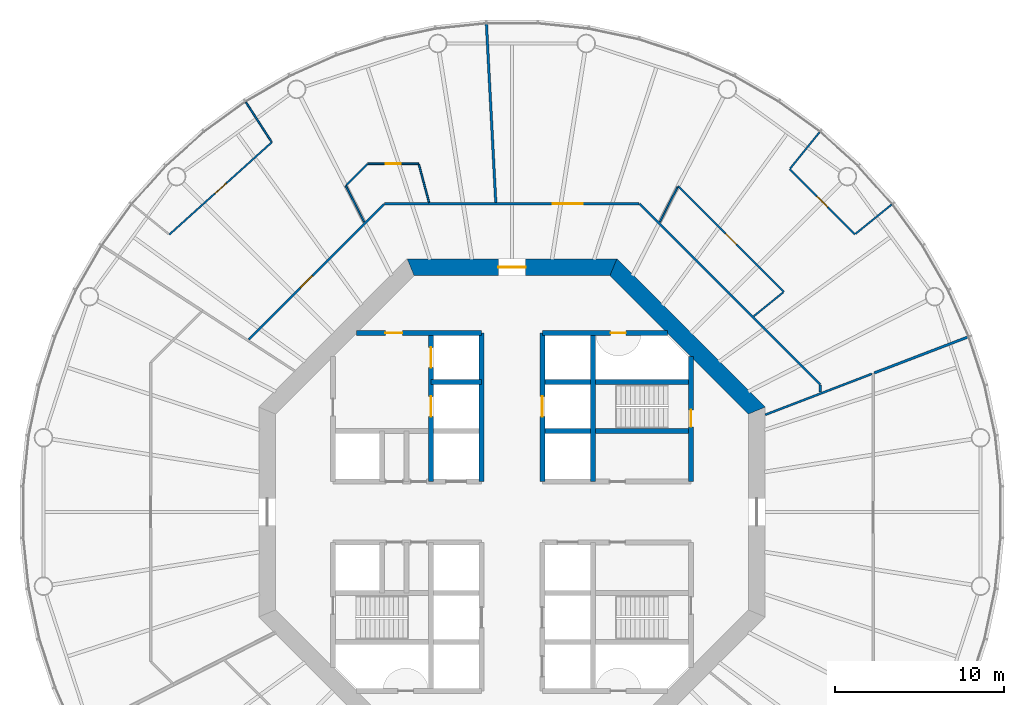
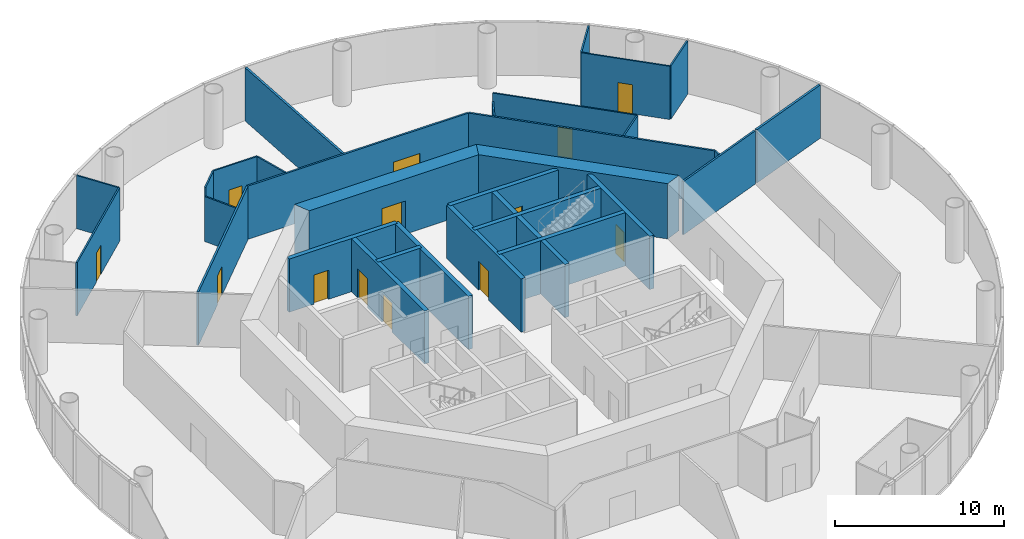
# One storey, part 5 of 13: 31 walls, 13 doors, 13 openings.
"""IFC4 building model written with IfcOpenShell, lengths in metres."""

from ifc_helpers import new_model, si_unit, direction, frame, frame_2d, origin, place, context, subcontext, project, spatial, polyline, rectangle, outline, extrude, material, layer, layer_set, type_object, element, fill, save


model = new_model("IFC4")

# Units and contexts
model_context = context("Model", 3, precision=1e-05, world=origin(), true_north=direction((0.0, 1.0)))
body_context = subcontext(model_context, "Body", "Model", "MODEL_VIEW")
ifc_project = project(units=[si_unit("LENGTHUNIT", "METRE"), si_unit("AREAUNIT", "SQUARE_METRE"), si_unit("VOLUMEUNIT", "CUBIC_METRE"), si_unit("PLANEANGLEUNIT", "RADIAN"), si_unit("MASSUNIT", "GRAM", prefix="KILO")], contexts=[model_context])

# Site, building, storey
site_placement = place(None, origin())
site = spatial("IfcSite", under=ifc_project, at=site_placement, CompositionType="ELEMENT")
building_placement = place(site_placement, origin())
building = spatial("IfcBuilding", under=site, at=building_placement, Name="Entoto Ring Tower", CompositionType="ELEMENT")
storey_placement = place(building_placement, frame((0.0, 0.0, 188.0)))
storey = spatial("IfcBuildingStorey", under=building, at=storey_placement, Name="L43", CompositionType="ELEMENT", Elevation=188.0)

# Wall, opening, door
ifc_material_1 = material(Name="Concrete C40/50", Category="concrete")
ifc_layer_1 = layer(ifc_material_1, 0.300048828125)
ifc_layer_set_1 = layer_set([ifc_layer_1], Name="Concrete C40/50")
wall_type_1 = type_object("IfcWallType", Name="Core enclosure wall 300 mm reinforced concrete", PredefinedType="SOLIDWALL", material=ifc_layer_set_1)
wall_1_placement = place(storey_placement, frame((100.60009765625, 81.800048828125, 0.0), z_axis=(0.0, 0.0, 1.0), x_axis=(0.0, 1.0, 0.0)))
wall_1 = element("IfcWall", 1, at=wall_1_placement, inside=storey, type_object=wall_type_1, Name="wall-L43-002", PredefinedType="SOLIDWALL", context=body_context, shape_type="SweptSolid", body=[
    extrude(rectangle(XDim=7.39892578125, YDim=0.300048828125, at=frame_2d((3.699462890625, 0.0))), origin(), (0.0, 0.0, 1.0), 3.85009765625),
])
opening_1_placement = place(wall_1_placement, frame((3.25, 0.0, 0.0)))
opening_1 = element("IfcOpeningElement", 2, at=opening_1_placement, cuts=wall_1, Name="Opening K-17", PredefinedType="OPENING", context=body_context, shape_type="SweptSolid", body=[
    extrude(rectangle(XDim=1.0, YDim=2.10009765625, at=frame_2d((0.5, 1.050048828125))), frame((0.0, 0.16015625, 0.0), z_axis=(0.0, -1.0, 0.0), x_axis=(1.0, 0.0, 0.0)), (0.0, 0.0, 1.0), 0.320068359375),
])
ifc_material_2 = material(Name="Steel door leaf, fire rated", Category="steel")
ifc_layer_2 = layer(ifc_material_2, 0.050048828125)
ifc_layer_set_2 = layer_set([ifc_layer_2], Name="Steel door leaf, fire rated")
door_type_1 = type_object("IfcDoorType", Name="Fire door FD60 1000 x 2100 single leaf", OperationType="NOTDEFINED", PredefinedType="DOOR", material=ifc_layer_set_2)
door_1_placement = place(opening_1_placement, origin())
door_1 = element("IfcDoor", 3, at=door_1_placement, inside=storey, type_object=door_type_1, Name="Door K-17", OperationType="SINGLE_SWING_LEFT", OverallHeight=2.10009765625, OverallWidth=1.0, PredefinedType="DOOR", context=body_context, shape_type="SweptSolid", body=[
    extrude(rectangle(XDim=1.0, YDim=2.10009765625, at=frame_2d((0.5, 1.050048828125))), frame((0.0, 0.02490234375, 0.0), z_axis=(0.0, -1.0, 0.0), x_axis=(1.0, 0.0, 0.0)), (0.0, 0.0, 1.0), 0.050048828125),
])
fill(opening_1, door_1)

# Wall
wall_2_placement = place(storey_placement, frame((94.800048828125, 81.800048828125, 0.0), z_axis=(0.0, 0.0, 1.0), x_axis=(0.0, 1.0, 0.0)))
element("IfcWall", 4, at=wall_2_placement, inside=storey, type_object=wall_type_1, Name="wall-L43-004", PredefinedType="SOLIDWALL", context=body_context, shape_type="SweptSolid", body=[
    extrude(rectangle(XDim=8.800048828125, YDim=0.300048828125, at=frame_2d((4.39990234375, 0.0))), origin(), (0.0, 0.0, 1.0), 3.85009765625),
])

# Wall, opening, door
wall_3_placement = place(storey_placement, frame((91.800048828125, 81.800048828125, 0.0), z_axis=(0.0, 0.0, 1.0), x_axis=(0.0, 1.0, 0.0)))
wall_3 = element("IfcWall", 5, at=wall_3_placement, inside=storey, type_object=wall_type_1, Name="wall-L43-006", PredefinedType="SOLIDWALL", context=body_context, shape_type="SweptSolid", body=[
    extrude(rectangle(XDim=8.800048828125, YDim=0.300048828125, at=frame_2d((4.39990234375, 0.0))), origin(), (0.0, 0.0, 1.0), 3.85009765625),
])
opening_2_placement = place(wall_3_placement, frame((3.85009765625, 0.0, 0.0)))
opening_2 = element("IfcOpeningElement", 6, at=opening_2_placement, cuts=wall_3, Name="Opening LD", PredefinedType="OPENING", context=body_context, shape_type="SweptSolid", body=[
    extrude(rectangle(XDim=1.199951171875, YDim=2.10009765625, at=frame_2d((0.60009765625, 1.050048828125))), frame((0.0, 0.16015625, 0.0), z_axis=(0.0, -1.0, 0.0), x_axis=(1.0, 0.0, 0.0)), (0.0, 0.0, 1.0), 0.320068359375),
])
ifc_material_3 = material(Name="Steel and glass door leaf", Category="steel")
ifc_layer_3 = layer(ifc_material_3, 0.050048828125)
ifc_layer_set_3 = layer_set([ifc_layer_3], Name="Steel and glass door leaf")
door_type_2 = type_object("IfcDoorType", Name="Landing door 1200 x 2100 sliding", OperationType="DOUBLE_DOOR_SLIDING", PredefinedType="DOOR", material=ifc_layer_set_3)
door_2_placement = place(opening_2_placement, origin())
door_2 = element("IfcDoor", 7, at=door_2_placement, inside=storey, type_object=door_type_2, Name="Landing door LB1-MR", OperationType="SLIDING_TO_RIGHT", OverallHeight=2.10009765625, OverallWidth=1.199951171875, PredefinedType="DOOR", context=body_context, shape_type="SweptSolid", body=[
    extrude(rectangle(XDim=1.199951171875, YDim=2.10009765625, at=frame_2d((0.60009765625, 1.050048828125))), frame((0.0, 0.02490234375, 0.0), z_axis=(0.0, -1.0, 0.0), x_axis=(1.0, 0.0, 0.0)), (0.0, 0.0, 1.0), 0.050048828125),
])
fill(opening_2, door_2)

# Wall
wall_4_placement = place(storey_placement, frame((88.199951171875, 81.800048828125, 0.0), z_axis=(0.0, 0.0, 1.0), x_axis=(0.0, 1.0, 0.0)))
element("IfcWall", 8, at=wall_4_placement, inside=storey, type_object=wall_type_1, Name="wall-L43-008", PredefinedType="SOLIDWALL", context=body_context, shape_type="SweptSolid", body=[
    extrude(rectangle(XDim=8.800048828125, YDim=0.300048828125, at=frame_2d((4.39990234375, 0.0))), origin(), (0.0, 0.0, 1.0), 3.85009765625),
])

# Wall, openings, doors
wall_5_placement = place(storey_placement, frame((85.199951171875, 81.800048828125, 0.0), z_axis=(0.0, 0.0, 1.0), x_axis=(0.0, 1.0, 0.0)))
wall_5 = element("IfcWall", 9, at=wall_5_placement, inside=storey, type_object=wall_type_1, Name="wall-L43-010", PredefinedType="SOLIDWALL", context=body_context, shape_type="SweptSolid", body=[
    extrude(rectangle(XDim=8.800048828125, YDim=0.300048828125, at=frame_2d((4.39990234375, 0.0))), origin(), (0.0, 0.0, 1.0), 3.85009765625),
])
opening_3_placement = place(wall_5_placement, frame((3.85009765625, 0.0, 0.0)))
opening_3 = element("IfcOpeningElement", 10, at=opening_3_placement, cuts=wall_5, Name="Opening LD", PredefinedType="OPENING", context=body_context, shape_type="SweptSolid", body=[
    extrude(rectangle(XDim=1.199951171875, YDim=2.10009765625, at=frame_2d((0.60009765625, 1.050048828125))), frame((0.0, 0.16015625, 0.0), z_axis=(0.0, -1.0, 0.0), x_axis=(1.0, 0.0, 0.0)), (0.0, 0.0, 1.0), 0.320068359375),
])
opening_4_placement = place(wall_5_placement, frame((6.75, 0.0, 0.0)))
opening_4 = element("IfcOpeningElement", 11, at=opening_4_placement, cuts=wall_5, Name="Opening LD", PredefinedType="OPENING", context=body_context, shape_type="SweptSolid", body=[
    extrude(rectangle(XDim=1.199951171875, YDim=2.10009765625, at=frame_2d((0.60009765625, 1.050048828125))), frame((0.0, 0.16015625, 0.0), z_axis=(0.0, -1.0, 0.0), x_axis=(1.0, 0.0, 0.0)), (0.0, 0.0, 1.0), 0.320068359375),
])
door_3_placement = place(opening_3_placement, origin())
door_3 = element("IfcDoor", 12, at=door_3_placement, inside=storey, type_object=door_type_2, Name="Landing door FF1", OperationType="SLIDING_TO_RIGHT", OverallHeight=2.10009765625, OverallWidth=1.199951171875, PredefinedType="DOOR", context=body_context, shape_type="SweptSolid", body=[
    extrude(rectangle(XDim=1.199951171875, YDim=2.10009765625, at=frame_2d((0.60009765625, 1.050048828125))), frame((0.0, 0.02490234375, 0.0), z_axis=(0.0, -1.0, 0.0), x_axis=(1.0, 0.0, 0.0)), (0.0, 0.0, 1.0), 0.050048828125),
])
fill(opening_3, door_3)
door_4_placement = place(opening_4_placement, origin())
door_4 = element("IfcDoor", 13, at=door_4_placement, inside=storey, type_object=door_type_2, Name="Landing door FF2", OperationType="SLIDING_TO_RIGHT", OverallHeight=2.10009765625, OverallWidth=1.199951171875, PredefinedType="DOOR", context=body_context, shape_type="SweptSolid", body=[
    extrude(rectangle(XDim=1.199951171875, YDim=2.10009765625, at=frame_2d((0.60009765625, 1.050048828125))), frame((0.0, 0.02490234375, 0.0), z_axis=(0.0, -1.0, 0.0), x_axis=(1.0, 0.0, 0.0)), (0.0, 0.0, 1.0), 0.050048828125),
])
fill(opening_4, door_4)

# Walls
wall_6_placement = place(storey_placement, frame((91.800048828125, 84.800048828125, 0.0), z_axis=(0.0, 0.0, 1.0), x_axis=(1.0, 0.0, 0.0)))
element("IfcWall", 14, at=wall_6_placement, inside=storey, type_object=wall_type_1, Name="wall-L43-028", PredefinedType="SOLIDWALL", context=body_context, shape_type="SweptSolid", body=[
    extrude(rectangle(XDim=8.800048828125, YDim=0.300048828125, at=frame_2d((4.39990234375, 0.0))), origin(), (0.0, 0.0, 1.0), 3.85009765625),
])
wall_7_placement = place(storey_placement, frame((85.199951171875, 87.699951171875, 0.0), z_axis=(0.0, 0.0, 1.0), x_axis=(1.0, 0.0, 0.0)))
element("IfcWall", 15, at=wall_7_placement, inside=storey, type_object=wall_type_1, Name="wall-L43-029", PredefinedType="SOLIDWALL", context=body_context, shape_type="SweptSolid", body=[
    extrude(rectangle(XDim=3.0, YDim=0.300048828125, at=frame_2d((1.5, 0.0))), origin(), (0.0, 0.0, 1.0), 3.85009765625),
])
wall_8_placement = place(storey_placement, frame((91.800048828125, 87.699951171875, 0.0), z_axis=(0.0, 0.0, 1.0), x_axis=(1.0, 0.0, 0.0)))
element("IfcWall", 16, at=wall_8_placement, inside=storey, type_object=wall_type_1, Name="wall-L43-030", PredefinedType="SOLIDWALL", context=body_context, shape_type="SweptSolid", body=[
    extrude(rectangle(XDim=8.800048828125, YDim=0.300048828125, at=frame_2d((4.39990234375, 0.0))), origin(), (0.0, 0.0, 1.0), 3.85009765625),
])

# Wall, opening, door
wall_9_placement = place(storey_placement, frame((80.801025390625, 90.60009765625, 0.0), z_axis=(0.0, 0.0, 1.0), x_axis=(1.0, 0.0, 0.0)))
wall_9 = element("IfcWall", 17, at=wall_9_placement, inside=storey, type_object=wall_type_1, Name="wall-L43-031", PredefinedType="SOLIDWALL", context=body_context, shape_type="SweptSolid", body=[
    extrude(rectangle(XDim=7.39892578125, YDim=0.300048828125, at=frame_2d((3.699462890625, 0.0))), origin(), (0.0, 0.0, 1.0), 3.85009765625),
])
opening_5_placement = place(wall_9_placement, frame((1.698974609375, 0.0, 0.0)))
opening_5 = element("IfcOpeningElement", 18, at=opening_5_placement, cuts=wall_9, Name="Opening K-73", PredefinedType="OPENING", context=body_context, shape_type="SweptSolid", body=[
    extrude(rectangle(XDim=1.0, YDim=2.10009765625, at=frame_2d((0.5, 1.050048828125))), frame((0.0, 0.16015625, 0.0), z_axis=(0.0, -1.0, 0.0), x_axis=(1.0, 0.0, 0.0)), (0.0, 0.0, 1.0), 0.320068359375),
])
door_5_placement = place(opening_5_placement, frame((1.0, 0.0, 0.0), z_axis=(0.0, 0.0, 1.0), x_axis=(-1.0, 0.0, 0.0)))
door_5 = element("IfcDoor", 19, at=door_5_placement, inside=storey, type_object=door_type_1, Name="Door K-73", OperationType="SINGLE_SWING_LEFT", OverallHeight=2.10009765625, OverallWidth=1.0, PredefinedType="DOOR", context=body_context, shape_type="SweptSolid", body=[
    extrude(rectangle(XDim=1.0, YDim=2.10009765625, at=frame_2d((0.5, 1.050048828125))), frame((0.0, 0.02490234375, 0.0), z_axis=(0.0, -1.0, 0.0), x_axis=(1.0, 0.0, 0.0)), (0.0, 0.0, 1.0), 0.050048828125),
])
fill(opening_5, door_5)

wall_10_placement = place(storey_placement, frame((91.800048828125, 90.60009765625, 0.0), z_axis=(0.0, 0.0, 1.0), x_axis=(1.0, 0.0, 0.0)))
wall_10 = element("IfcWall", 20, at=wall_10_placement, inside=storey, type_object=wall_type_1, Name="wall-L43-032", PredefinedType="SOLIDWALL", context=body_context, shape_type="SweptSolid", body=[
    extrude(rectangle(XDim=7.39892578125, YDim=0.300048828125, at=frame_2d((3.699462890625, 0.0))), origin(), (0.0, 0.0, 1.0), 3.85009765625),
])
opening_6_placement = place(wall_10_placement, frame((4.050048828125, 0.0, 0.0)))
opening_6 = element("IfcOpeningElement", 21, at=opening_6_placement, cuts=wall_10, Name="Opening K-20", PredefinedType="OPENING", context=body_context, shape_type="SweptSolid", body=[
    extrude(rectangle(XDim=0.89990234375, YDim=2.10009765625, at=frame_2d((0.449951171875, 1.050048828125))), frame((0.0, 0.16015625, 0.0), z_axis=(0.0, -1.0, 0.0), x_axis=(1.0, 0.0, 0.0)), (0.0, 0.0, 1.0), 0.320068359375),
])
ifc_material_4 = material(Name="Steel door leaf, fire rated", Category="steel")
ifc_layer_4 = layer(ifc_material_4, 0.050048828125)
ifc_layer_set_4 = layer_set([ifc_layer_4], Name="Steel door leaf, fire rated")
door_type_3 = type_object("IfcDoorType", Name="Riser door FD60 900 x 2100 single leaf", OperationType="NOTDEFINED", PredefinedType="DOOR", material=ifc_layer_set_4)
door_6_placement = place(opening_6_placement, frame((0.89990234375, 0.0, 0.0), z_axis=(0.0, 0.0, 1.0), x_axis=(-1.0, 0.0, 0.0)))
door_6 = element("IfcDoor", 22, at=door_6_placement, inside=storey, type_object=door_type_3, Name="Door K-20", OperationType="SINGLE_SWING_RIGHT", OverallHeight=2.10009765625, OverallWidth=0.89990234375, PredefinedType="DOOR", context=body_context, shape_type="SweptSolid", body=[
    extrude(rectangle(XDim=0.89990234375, YDim=2.10009765625, at=frame_2d((0.449951171875, 1.050048828125))), frame((0.0, 0.02490234375, 0.0), z_axis=(0.0, -1.0, 0.0), x_axis=(1.0, 0.0, 0.0)), (0.0, 0.0, 1.0), 0.050048828125),
])
fill(opening_6, door_6)

# Wall
ifc_material_5 = material(Name="Concrete C50/60", Category="concrete")
ifc_layer_5 = layer(ifc_material_5, 1.0)
ifc_layer_set_5 = layer_set([ifc_layer_5], Name="Concrete C50/60")
wall_type_2 = type_object("IfcWallType", Name="Core shear wall 1000 mm reinforced concrete C50/60", PredefinedType="SHEAR", material=ifc_layer_set_5)
wall_11_placement = place(storey_placement, frame((104.5, 86.006103515625, 0.0), z_axis=(0.0, 0.0, 1.0), x_axis=(-0.707106781187, 0.707106781187, 0.0)))
element("IfcWall", 23, at=wall_11_placement, inside=storey, type_object=wall_type_2, Name="wall-L43-core-1", PredefinedType="SHEAR", context=body_context, shape_type="SweptSolid", body=[
    extrude(outline(polyline([(-0.20703125, -0.5), (12.21923828125, -0.5), (11.80517578125, 0.5), (0.20703125, 0.5), (-0.20703125, -0.5)])), origin(), (0.0, 0.0, 1.0), 4.0),
])

# Wall, opening, door
wall_12_placement = place(storey_placement, frame((96.006103515625, 94.5, 0.0), z_axis=(0.0, 0.0, 1.0), x_axis=(-1.0, 0.0, 0.0)))
wall_12 = element("IfcWall", 24, at=wall_12_placement, inside=storey, type_object=wall_type_2, Name="wall-L43-core-2", PredefinedType="SHEAR", context=body_context, shape_type="SweptSolid", body=[
    extrude(outline(polyline([(-0.20703125, -0.5), (12.21923828125, -0.5), (11.80517578125, 0.5), (0.20703125, 0.5), (-0.20703125, -0.5)])), origin(), (0.0, 0.0, 1.0), 4.0),
])
opening_7_placement = place(wall_12_placement, frame((5.2060546875, 0.0, 0.0)))
opening_7 = element("IfcOpeningElement", 25, at=opening_7_placement, cuts=wall_12, Name="Opening K-02", PredefinedType="OPENING", context=body_context, shape_type="SweptSolid", body=[
    extrude(rectangle(XDim=1.60009765625, YDim=2.39990234375, at=frame_2d((0.800048828125, 1.199951171875))), frame((0.0, 0.510009765625, 0.0), z_axis=(0.0, -1.0, 0.0), x_axis=(1.0, 0.0, 0.0)), (0.0, 0.0, 1.0), 1.02001953125),
])
ifc_material_6 = material(Name="Steel door leaf, fire rated", Category="steel")
ifc_layer_6 = layer(ifc_material_6, 0.050048828125)
ifc_layer_set_6 = layer_set([ifc_layer_6], Name="Steel door leaf, fire rated")
door_type_4 = type_object("IfcDoorType", Name="Entrance door FD60 1600 x 2400 double leaf", OperationType="DOUBLE_DOOR_SINGLE_SWING", PredefinedType="DOOR", material=ifc_layer_set_6)
door_7_placement = place(opening_7_placement, origin())
door_7 = element("IfcDoor", 26, at=door_7_placement, inside=storey, type_object=door_type_4, Name="Entrance door K-02", OperationType="DOUBLE_DOOR_SINGLE_SWING", OverallHeight=2.39990234375, OverallWidth=1.60009765625, PredefinedType="DOOR", context=body_context, shape_type="SweptSolid", body=[
    extrude(rectangle(XDim=1.60009765625, YDim=2.39990234375, at=frame_2d((0.800048828125, 1.199951171875))), frame((0.0, 0.02490234375, 0.0), z_axis=(0.0, -1.0, 0.0), x_axis=(1.0, 0.0, 0.0)), (0.0, 0.0, 1.0), 0.050048828125),
])
fill(opening_7, door_7)

# Wall
ifc_material_7 = material(Name="Fire-resisting plasterboard on steel studs", Category="steel")
ifc_layer_7 = layer(ifc_material_7, 0.125)
ifc_layer_set_7 = layer_set([ifc_layer_7], Name="Fire-resisting plasterboard on steel studs")
wall_type_3 = type_object("IfcWallType", Name="Corridor wall 125 mm one-hour plasterboard on steel studs", PredefinedType="PARTITIONING", material=ifc_layer_set_7)
wall_13_placement = place(storey_placement, frame((108.262451171875, 87.564697265625, 0.0), z_axis=(0.0, 0.0, 1.0), x_axis=(-0.707106781187, 0.707106781187, 0.0)))
element("IfcWall", 27, at=wall_13_placement, inside=storey, type_object=wall_type_3, Name="partition-L43-003", PredefinedType="PARTITIONING", context=body_context, shape_type="SweptSolid", body=[
    extrude(rectangle(XDim=15.12890625, YDim=0.125, at=frame_2d((7.564453125, 0.0))), origin(), (0.0, 0.0, 1.0), 3.85009765625),
])

# Wall, opening, door
wall_14_placement = place(storey_placement, frame((82.435302734375, 98.262451171875, 0.0), z_axis=(0.0, 0.0, 1.0), x_axis=(1.0, 0.0, 0.0)))
wall_14 = element("IfcWall", 28, at=wall_14_placement, inside=storey, type_object=wall_type_3, Name="partition-L43-005", PredefinedType="PARTITIONING", context=body_context, shape_type="SweptSolid", body=[
    extrude(rectangle(XDim=15.085205078125, YDim=0.125, at=frame_2d((7.54248046875, 0.0))), origin(), (0.0, 0.0, 1.0), 3.85009765625),
])
opening_8_placement = place(wall_14_placement, frame((9.96826171875, 0.0, 0.0)))
opening_8 = element("IfcOpeningElement", 29, at=opening_8_placement, cuts=wall_14, Name="Opening A18-D03", PredefinedType="OPENING", context=body_context, shape_type="SweptSolid", body=[
    extrude(rectangle(XDim=1.800048828125, YDim=2.10009765625, at=frame_2d((0.89990234375, 1.050048828125))), frame((0.0, 0.072509765625, 0.0), z_axis=(0.0, -1.0, 0.0), x_axis=(1.0, 0.0, 0.0)), (0.0, 0.0, 1.0), 0.14501953125),
])
ifc_material_8 = material(Name="Fire-resisting timber door set", Category="wood")
door_type_5 = type_object("IfcDoorType", Name="Door 1800 x 2100 double leaf FD30S fire door", OperationType="DOUBLE_DOOR_SINGLE_SWING", PredefinedType="DOOR", material=ifc_material_8)
door_8_placement = place(opening_8_placement, origin())
door_8 = element("IfcDoor", 30, at=door_8_placement, inside=storey, type_object=door_type_5, Name="Door A18-D03", OperationType="DOUBLE_DOOR_SINGLE_SWING", OverallHeight=2.10009765625, OverallWidth=1.800048828125, PredefinedType="DOOR", context=body_context, shape_type="SweptSolid", body=[
    extrude(rectangle(XDim=1.800048828125, YDim=2.10009765625, at=frame_2d((0.89990234375, 1.050048828125))), frame((0.0, 0.02490234375, 0.0), z_axis=(0.0, -1.0, 0.0), x_axis=(1.0, 0.0, 0.0)), (0.0, 0.0, 1.0), 0.050048828125),
])
fill(opening_8, door_8)

wall_15_placement = place(storey_placement, frame((74.39599609375, 90.22314453125, 0.0), z_axis=(0.0, 0.0, 1.0), x_axis=(0.707106781187, 0.707106781187, 0.0)))
wall_15 = element("IfcWall", 31, at=wall_15_placement, inside=storey, type_object=wall_type_3, Name="partition-L43-007", PredefinedType="PARTITIONING", context=body_context, shape_type="SweptSolid", body=[
    extrude(rectangle(XDim=11.325439453125, YDim=0.125, at=frame_2d((5.66259765625, 0.0))), origin(), (0.0, 0.0, 1.0), 3.85009765625),
])
opening_9_placement = place(wall_15_placement, frame((4.330810546875, 0.0, 0.0)))
opening_9 = element("IfcOpeningElement", 32, at=opening_9_placement, cuts=wall_15, Name="Opening A18-D06", PredefinedType="OPENING", context=body_context, shape_type="SweptSolid", body=[
    extrude(rectangle(XDim=1.0, YDim=2.10009765625, at=frame_2d((0.5, 1.050048828125))), frame((0.0, 0.072509765625, 0.0), z_axis=(0.0, -1.0, 0.0), x_axis=(1.0, 0.0, 0.0)), (0.0, 0.0, 1.0), 0.14501953125),
])
ifc_material_9 = material(Name="Fire-resisting timber door set", Category="wood")
door_type_6 = type_object("IfcDoorType", Name="Door 1000 x 2100 single leaf FD30S fire door", OperationType="NOTDEFINED", PredefinedType="DOOR", material=ifc_material_9)
door_9_placement = place(opening_9_placement, origin())
door_9 = element("IfcDoor", 33, at=door_9_placement, inside=storey, type_object=door_type_6, Name="Door A18-D06", OperationType="SINGLE_SWING_LEFT", OverallHeight=2.10009765625, OverallWidth=1.0, PredefinedType="DOOR", context=body_context, shape_type="SweptSolid", body=[
    extrude(rectangle(XDim=1.0, YDim=2.10009765625, at=frame_2d((0.5, 1.050048828125))), frame((0.0, 0.02490234375, 0.0), z_axis=(0.0, -1.0, 0.0), x_axis=(1.0, 0.0, 0.0)), (0.0, 0.0, 1.0), 0.050048828125),
])
fill(opening_9, door_9)

# Walls
wall_16_placement = place(storey_placement, frame((105.0, 85.758056640625, 0.0), z_axis=(0.0, 0.0, 1.0), x_axis=(0.933585389183, 0.358355021038, 0.0)))
element("IfcWall", 34, at=wall_16_placement, inside=storey, type_object=wall_type_3, Name="partition-L43-009", PredefinedType="PARTITIONING", context=body_context, shape_type="SweptSolid", body=[
    extrude(rectangle(XDim=6.764404296875, YDim=0.125, at=frame_2d((3.38232421875, 0.0))), origin(), (0.0, 0.0, 1.0), 3.85009765625),
])
wall_17_placement = place(storey_placement, frame((108.262451171875, 87.10107421875, 0.0), z_axis=(0.0, 0.0, 1.0), x_axis=(0.0, 1.0, 0.0)))
element("IfcWall", 35, at=wall_17_placement, inside=storey, type_object=wall_type_3, Name="partition-L43-016", PredefinedType="PARTITIONING", context=body_context, shape_type="SweptSolid", body=[
    extrude(rectangle(XDim=0.41943359375, YDim=0.125, at=frame_2d((0.209716796875, 0.0))), origin(), (0.0, 0.0, 1.0), 3.85009765625),
])

# Wall, opening, door
ifc_material_10 = material(Name="Plasterboard on steel studs", Category="steel")
ifc_layer_8 = layer(ifc_material_10, 0.10009765625)
ifc_layer_set_8 = layer_set([ifc_layer_8], Name="Plasterboard on steel studs")
wall_type_4 = type_object("IfcWallType", Name="Partition 100 mm plasterboard on steel studs", PredefinedType="PARTITIONING", material=ifc_layer_set_8)
wall_18_placement = place(storey_placement, frame((106.107177734375, 93.043212890625, 0.0), z_axis=(0.0, 0.0, 1.0), x_axis=(-0.707093009375, 0.70712055273, 0.0)))
wall_18 = element("IfcWall", 36, at=wall_18_placement, inside=storey, type_object=wall_type_4, Name="partition-L43-023", PredefinedType="PARTITIONING", context=body_context, shape_type="SweptSolid", body=[
    extrude(rectangle(XDim=8.86376953125, YDim=0.10009765625, at=frame_2d((4.431884765625, 0.0))), origin(), (0.0, 0.0, 1.0), 3.85009765625),
])
opening_10_placement = place(wall_18_placement, frame((3.98193359375, 0.0, 0.0)))
opening_10 = element("IfcOpeningElement", 37, at=opening_10_placement, cuts=wall_18, Name="Opening A18-D04", PredefinedType="OPENING", context=body_context, shape_type="SweptSolid", body=[
    extrude(rectangle(XDim=0.89990234375, YDim=2.10009765625, at=frame_2d((0.449951171875, 1.050048828125))), frame((0.0, 0.06005859375, 0.0), z_axis=(0.0, -1.0, 0.0), x_axis=(1.0, 0.0, 0.0)), (0.0, 0.0, 1.0), 0.1201171875),
])
ifc_material_11 = material(Name="Veneered timber door leaf in timber frame", Category="wood")
door_type_7 = type_object("IfcDoorType", Name="Door 900 x 2100 single leaf timber veneer", OperationType="NOTDEFINED", PredefinedType="DOOR", material=ifc_material_11)
door_10_placement = place(opening_10_placement, origin())
door_10 = element("IfcDoor", 38, at=door_10_placement, inside=storey, type_object=door_type_7, Name="Door A18-D04", OperationType="SINGLE_SWING_RIGHT", OverallHeight=2.10009765625, OverallWidth=0.89990234375, PredefinedType="DOOR", context=body_context, shape_type="SweptSolid", body=[
    extrude(rectangle(XDim=0.89990234375, YDim=2.10009765625, at=frame_2d((0.449951171875, 1.050048828125))), frame((0.0, 0.02490234375, 0.0), z_axis=(0.0, -1.0, 0.0), x_axis=(1.0, 0.0, 0.0)), (0.0, 0.0, 1.0), 0.050048828125),
])
fill(opening_10, door_10)

wall_19_placement = place(storey_placement, frame((69.700927734375, 96.437744140625, 0.0), z_axis=(0.0, 0.0, 1.0), x_axis=(0.743138149353, 0.669138020872, 0.0)))
wall_19 = element("IfcWall", 39, at=wall_19_placement, inside=storey, type_object=wall_type_4, Name="partition-L43-024", PredefinedType="PARTITIONING", context=body_context, shape_type="SweptSolid", body=[
    extrude(rectangle(XDim=8.172119140625, YDim=0.10009765625, at=frame_2d((4.0859375, 0.0))), origin(), (0.0, 0.0, 1.0), 3.85009765625),
])
opening_11_placement = place(wall_19_placement, frame((3.635986328125, 0.0, 0.0)))
opening_11 = element("IfcOpeningElement", 40, at=opening_11_placement, cuts=wall_19, Name="Opening A18-D08", PredefinedType="OPENING", context=body_context, shape_type="SweptSolid", body=[
    extrude(rectangle(XDim=0.89990234375, YDim=2.10009765625, at=frame_2d((0.449951171875, 1.050048828125))), frame((0.0, 0.06005859375, 0.0), z_axis=(0.0, -1.0, 0.0), x_axis=(1.0, 0.0, 0.0)), (0.0, 0.0, 1.0), 0.1201171875),
])
door_11_placement = place(opening_11_placement, origin())
door_11 = element("IfcDoor", 41, at=door_11_placement, inside=storey, type_object=door_type_7, Name="Door A18-D08", OperationType="SINGLE_SWING_LEFT", OverallHeight=2.10009765625, OverallWidth=0.89990234375, PredefinedType="DOOR", context=body_context, shape_type="SweptSolid", body=[
    extrude(rectangle(XDim=0.89990234375, YDim=2.10009765625, at=frame_2d((0.449951171875, 1.050048828125))), frame((0.0, 0.02490234375, 0.0), z_axis=(0.0, -1.0, 0.0), x_axis=(1.0, 0.0, 0.0)), (0.0, 0.0, 1.0), 0.050048828125),
])
fill(opening_11, door_11)

wall_20_placement = place(storey_placement, frame((110.314697265625, 96.450439453125, 0.0), z_axis=(0.0, 0.0, 1.0), x_axis=(-0.707106781187, 0.707106781187, 0.0)))
wall_20 = element("IfcWall", 42, at=wall_20_placement, inside=storey, type_object=wall_type_4, Name="partition-L43-028", PredefinedType="PARTITIONING", context=body_context, shape_type="SweptSolid", body=[
    extrude(rectangle(XDim=5.46484375, YDim=0.10009765625, at=frame_2d((2.732421875, 0.0))), origin(), (0.0, 0.0, 1.0), 3.85009765625),
])
opening_12_placement = place(wall_20_placement, frame((2.282470703125, 0.0, 0.0)))
opening_12 = element("IfcOpeningElement", 43, at=opening_12_placement, cuts=wall_20, Name="Opening A18-D05", PredefinedType="OPENING", context=body_context, shape_type="SweptSolid", body=[
    extrude(rectangle(XDim=0.89990234375, YDim=2.10009765625, at=frame_2d((0.449951171875, 1.050048828125))), frame((0.0, 0.06005859375, 0.0), z_axis=(0.0, -1.0, 0.0), x_axis=(1.0, 0.0, 0.0)), (0.0, 0.0, 1.0), 0.1201171875),
])
door_12_placement = place(opening_12_placement, frame((0.89990234375, 0.0, 0.0), z_axis=(0.0, 0.0, 1.0), x_axis=(-1.0, 0.0, 0.0)))
door_12 = element("IfcDoor", 44, at=door_12_placement, inside=storey, type_object=door_type_7, Name="Door A18-D05", OperationType="SINGLE_SWING_RIGHT", OverallHeight=2.10009765625, OverallWidth=0.89990234375, PredefinedType="DOOR", context=body_context, shape_type="SweptSolid", body=[
    extrude(rectangle(XDim=0.89990234375, YDim=2.10009765625, at=frame_2d((0.449951171875, 1.050048828125))), frame((0.0, 0.02490234375, 0.0), z_axis=(0.0, -1.0, 0.0), x_axis=(1.0, 0.0, 0.0)), (0.0, 0.0, 1.0), 0.050048828125),
])
fill(opening_12, door_12)

wall_21_placement = place(storey_placement, frame((81.45361328125, 100.632568359375, 0.0), z_axis=(0.0, 0.0, 1.0), x_axis=(1.0, 0.0, 0.0)))
wall_21 = element("IfcWall", 45, at=wall_21_placement, inside=storey, type_object=wall_type_4, Name="partition-L43-029", PredefinedType="PARTITIONING", context=body_context, shape_type="SweptSolid", body=[
    extrude(rectangle(XDim=3.017822265625, YDim=0.10009765625, at=frame_2d((1.5087890625, 0.0))), origin(), (0.0, 0.0, 1.0), 3.85009765625),
])
opening_13_placement = place(wall_21_placement, frame((1.058837890625, 0.0, 0.0)))
opening_13 = element("IfcOpeningElement", 46, at=opening_13_placement, cuts=wall_21, Name="Opening A18-D07", PredefinedType="OPENING", context=body_context, shape_type="SweptSolid", body=[
    extrude(rectangle(XDim=0.89990234375, YDim=2.10009765625, at=frame_2d((0.449951171875, 1.050048828125))), frame((0.0, 0.06005859375, 0.0), z_axis=(0.0, -1.0, 0.0), x_axis=(1.0, 0.0, 0.0)), (0.0, 0.0, 1.0), 0.1201171875),
])
door_13_placement = place(opening_13_placement, frame((0.89990234375, 0.0, 0.0), z_axis=(0.0, 0.0, 1.0), x_axis=(-1.0, 0.0, 0.0)))
door_13 = element("IfcDoor", 47, at=door_13_placement, inside=storey, type_object=door_type_7, Name="Door A18-D07", OperationType="SINGLE_SWING_LEFT", OverallHeight=2.10009765625, OverallWidth=0.89990234375, PredefinedType="DOOR", context=body_context, shape_type="SweptSolid", body=[
    extrude(rectangle(XDim=0.89990234375, YDim=2.10009765625, at=frame_2d((0.449951171875, 1.050048828125))), frame((0.0, 0.02490234375, 0.0), z_axis=(0.0, -1.0, 0.0), x_axis=(1.0, 0.0, 0.0)), (0.0, 0.0, 1.0), 0.050048828125),
])
fill(opening_13, door_13)

# Walls
wall_22_placement = place(storey_placement, frame((75.747314453125, 101.947509765625, 0.0), z_axis=(0.0, 0.0, 1.0), x_axis=(-0.544737449122, 0.838606648867, 0.0)))
element("IfcWall", 48, at=wall_22_placement, inside=storey, type_object=wall_type_4, Name="partition-L43-031", PredefinedType="PARTITIONING", context=body_context, shape_type="SweptSolid", body=[
    extrude(rectangle(XDim=2.770751953125, YDim=0.10009765625, at=frame_2d((1.38525390625, 0.0))), origin(), (0.0, 0.0, 1.0), 3.85009765625),
])
for number, where, z_axis, x_axis, name in (
    (49, (106.481689453125, 100.353271484375, 0.0), (0.0, 0.0, 1.0), (0.629328464219, 0.777139423864, 0.0), "partition-L43-033"),
    (50, (110.353271484375, 96.481689453125, 0.0), (0.0, 0.0, 1.0), (0.777139423864, 0.629328464219, 0.0), "partition-L43-034"),
):
    element("IfcWall", number, at=place(storey_placement, frame(where, z_axis=z_axis, x_axis=x_axis)), inside=storey, type_object=wall_type_4, Name=name, PredefinedType="PARTITIONING", context=body_context, shape_type="SweptSolid", body=[
        extrude(rectangle(XDim=2.75, YDim=0.10009765625, at=frame_2d((1.375, 0.0))), origin(), (0.0, 0.0, 1.0), 3.85009765625),
    ])
wall_23_placement = place(storey_placement, frame((85.08642578125, 98.337890625, 0.0), z_axis=(0.0, 0.0, 1.0), x_axis=(-0.258889887534, 0.965906841332, 0.0)))
element("IfcWall", 51, at=wall_23_placement, inside=storey, type_object=wall_type_4, Name="partition-L43-043", PredefinedType="PARTITIONING", context=body_context, shape_type="SweptSolid", body=[
    extrude(rectangle(XDim=2.327392578125, YDim=0.10009765625, at=frame_2d((1.16357421875, 0.0))), origin(), (0.0, 0.0, 1.0), 3.85009765625),
])
wall_24_placement = place(storey_placement, frame((104.32373046875, 91.59912109375, 0.0), z_axis=(0.0, 0.0, 1.0), x_axis=(0.77715345799, 0.62931113349, 0.0)))
element("IfcWall", 52, at=wall_24_placement, inside=storey, type_object=wall_type_4, Name="partition-L43-046", PredefinedType="PARTITIONING", context=body_context, shape_type="SweptSolid", body=[
    extrude(rectangle(XDim=2.2392578125, YDim=0.10009765625, at=frame_2d((1.11962890625, 0.0))), origin(), (0.0, 0.0, 1.0), 3.85009765625),
])
wall_25_placement = place(storey_placement, frame((80.1845703125, 99.36328125, 0.0), z_axis=(0.0, 0.0, 1.0), x_axis=(0.707106781187, 0.707106781187, 0.0)))
element("IfcWall", 53, at=wall_25_placement, inside=storey, type_object=wall_type_4, Name="partition-L43-047", PredefinedType="PARTITIONING", context=body_context, shape_type="SweptSolid", body=[
    extrude(rectangle(XDim=1.759765625, YDim=0.10009765625, at=frame_2d((0.8798828125, 0.0))), origin(), (0.0, 0.0, 1.0), 3.85009765625),
])
ifc_material_12 = material(Name="Plasterboard on steel studs", Category="steel")
ifc_layer_9 = layer(ifc_material_12, 0.10009765625)
ifc_layer_set_9 = layer_set([ifc_layer_9], Name="Plasterboard on steel studs")
wall_type_5 = type_object("IfcWallType", Name="Partition 100 mm plasterboard on steel studs, 3250 mm high", PredefinedType="PARTITIONING", material=ifc_layer_set_9)
wall_26_placement = place(storey_placement, frame((81.2451171875, 97.182373046875, 0.0), z_axis=(0.0, 0.0, 1.0), x_axis=(-0.454007720863, 0.890997749378, 0.0)))
element("IfcWall", 54, at=wall_26_placement, inside=storey, type_object=wall_type_5, Name="partition-L43-040", PredefinedType="PARTITIONING", context=body_context, shape_type="SweptSolid", body=[
    extrude(rectangle(XDim=2.41015625, YDim=0.10009765625, at=frame_2d((1.205078125, 0.0))), origin(), (0.0, 0.0, 1.0), 3.25),
])
wall_27_placement = place(storey_placement, frame((98.7548828125, 97.182373046875, 0.0), z_axis=(0.0, 0.0, 1.0), x_axis=(0.454018774689, 0.890992116817, 0.0)))
element("IfcWall", 55, at=wall_27_placement, inside=storey, type_object=wall_type_5, Name="partition-L43-041", PredefinedType="PARTITIONING", context=body_context, shape_type="SweptSolid", body=[
    extrude(rectangle(XDim=2.3203125, YDim=0.10009765625, at=frame_2d((1.16015625, 0.0))), origin(), (0.0, 0.0, 1.0), 3.25),
])
ifc_material_13 = material(Name="Fire-resisting acoustic plasterboard on steel studs", Category="steel")
ifc_layer_10 = layer(ifc_material_13, 0.14990234375)
ifc_layer_set_10 = layer_set([ifc_layer_10], Name="Fire-resisting acoustic plasterboard on steel studs")
wall_type_6 = type_object("IfcWallType", Name="Party wall 150 mm one-hour acoustic plasterboard on steel studs", PredefinedType="PARTITIONING", material=ifc_layer_set_10)
wall_28_placement = place(storey_placement, frame((89.039306640625, 98.328857421875, 0.0), z_axis=(0.0, 0.0, 1.0), x_axis=(-0.052328843677, 0.998629907483, 0.0)))
element("IfcWall", 56, at=wall_28_placement, inside=storey, type_object=wall_type_6, Name="partition-L43-017", PredefinedType="PARTITIONING", context=body_context, shape_type="SweptSolid", body=[
    extrude(rectangle(XDim=10.5859375, YDim=0.14990234375, at=frame_2d((5.29296875, 0.0))), origin(), (0.0, 0.0, 1.0), 3.85009765625),
])
wall_29_placement = place(storey_placement, frame((111.454345703125, 88.235595703125, 0.0), z_axis=(0.0, 0.0, 1.0), x_axis=(0.933587192323, 0.35835032347, 0.0)))
element("IfcWall", 57, at=wall_29_placement, inside=storey, type_object=wall_type_6, Name="partition-L43-022", PredefinedType="PARTITIONING", context=body_context, shape_type="SweptSolid", body=[
    extrude(rectangle(XDim=5.959228515625, YDim=0.14990234375, at=frame_2d((2.9794921875, 0.0))), origin(), (0.0, 0.0, 1.0), 3.85009765625),
])

save(model, "model.ifc")
